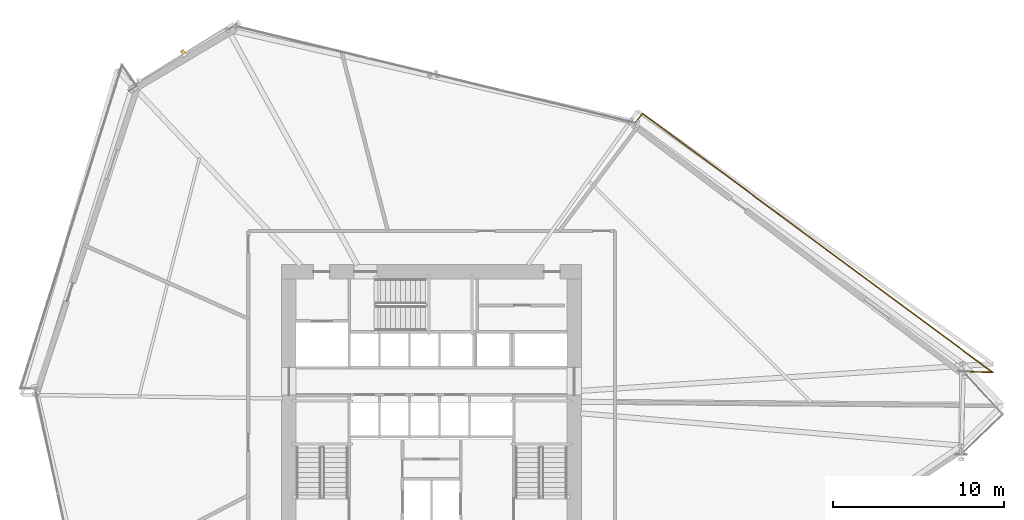
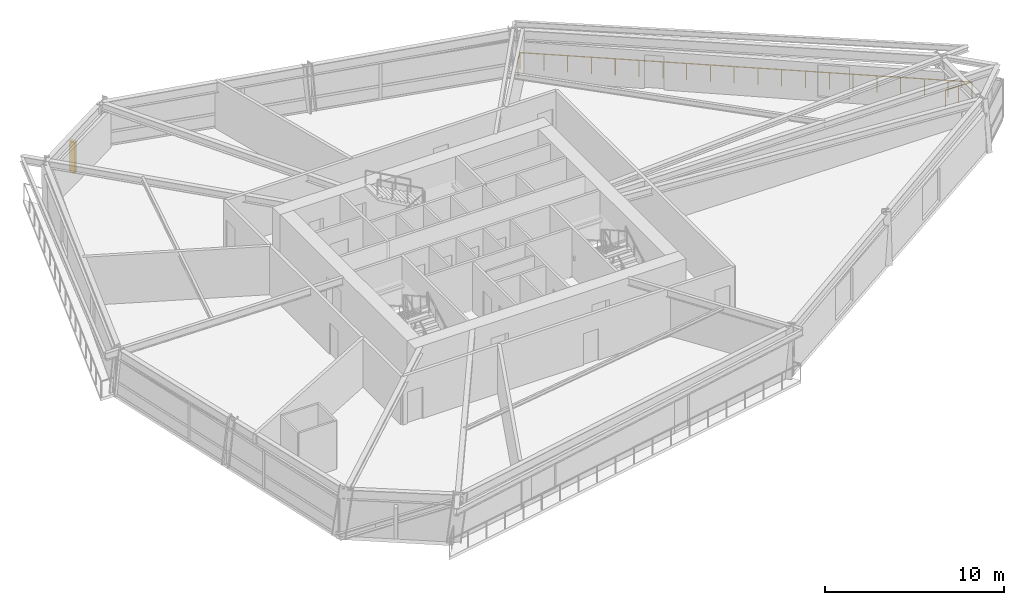
# One storey, part 24 of 24: 1 railing, 1 shading device.
"""IFC4 building model written with IfcOpenShell, lengths in metres."""

from ifc_helpers import new_model, si_unit, direction, frame, origin, origin_2d, place, context, subcontext, project, spatial, rectangle, extrude, source, transform, mapped, material, type_object, element, save


model = new_model("IFC4")

# Units and contexts
model_context = context("Model", 3, precision=1e-05, world=origin(), true_north=direction((0.0, 1.0)))
body_context = subcontext(model_context, "Body", "Model", "MODEL_VIEW")
ifc_project = project(units=[si_unit("LENGTHUNIT", "METRE"), si_unit("AREAUNIT", "SQUARE_METRE"), si_unit("VOLUMEUNIT", "CUBIC_METRE"), si_unit("PLANEANGLEUNIT", "RADIAN"), si_unit("MASSUNIT", "GRAM", prefix="KILO")], contexts=[model_context])

# Site, building, storey
site_placement = place(None, origin())
site = spatial("IfcSite", under=ifc_project, at=site_placement, CompositionType="ELEMENT")
building_placement = place(site_placement, origin())
building = spatial("IfcBuilding", under=site, at=building_placement, Name="Olszyna Solenne Hotel", CompositionType="ELEMENT")
storey_placement = place(building_placement, frame((0.0, 0.0, 29.300048828125)))
storey = spatial("IfcBuildingStorey", under=building, at=storey_placement, Name="L06", CompositionType="ELEMENT", Elevation=29.300048828125)

# Railing
ifc_material_1 = material(Name="Anodised bronze aluminium", Category="aluminium")
railing_type = type_object("IfcRailingType", Name="GR-110", PredefinedType="BALUSTRADE", material=ifc_material_1)
railing_placement = place(storey_placement, frame((69.0498046875, 28.290771484375, 0.0)))
element("IfcRailing", 1, at=railing_placement, inside=storey, type_object=railing_type, Name="Loggia balcony balustrade guard GR-L06-LG1", PredefinedType="BALUSTRADE", context=body_context, shape_type="SweptSolid", body=[
    extrude(rectangle(XDim=0.048095703125, YDim=0.048095703125, at=origin_2d()), frame((0.0, 0.0, 1.1259765625), z_axis=(0.999709599087, -0.024098080694, 0.0), x_axis=(0.024098080694, 0.999709599087, 0.0)), (0.0, 0.0, 1.0), 1.69189453125),
    extrude(rectangle(XDim=0.048095703125, YDim=0.048095703125, at=origin_2d()), frame((1.69140625, -0.040771484375, 1.1259765625), z_axis=(-0.804211684406, 0.594342970569, 0.0), x_axis=(-0.594342970569, -0.804211684406, 0.0)), (0.0, 0.0, 1.0), 25.408935546875),
    extrude(rectangle(XDim=0.048095703125, YDim=0.048095703125, at=origin_2d()), frame((-18.74267578125, 15.060791015625, 1.1259765625), z_axis=(-0.6381169831, -0.769939423513, 0.0), x_axis=(0.769939423513, -0.6381169831, 0.0)), (0.0, 0.0, 1.0), 0.709228515625),
    extrude(rectangle(XDim=0.0419921875, YDim=0.0419921875, at=origin_2d()), origin(), (0.0, 0.0, 1.0), 1.101806640625),
    extrude(rectangle(XDim=0.0419921875, YDim=0.0419921875, at=origin_2d()), frame((0.845703125, -0.0205078125, 0.0)), (0.0, 0.0, 1.0), 1.101806640625),
    extrude(rectangle(XDim=0.0419921875, YDim=0.0419921875, at=origin_2d()), frame((1.69140625, -0.040771484375, 0.0)), (0.0, 0.0, 1.0), 1.101806640625),
    extrude(rectangle(XDim=0.0419921875, YDim=0.0419921875, at=origin_2d()), frame((0.615966796875, 0.754150390625, 0.0)), (0.0, 0.0, 1.0), 1.101806640625),
    extrude(rectangle(XDim=0.0419921875, YDim=0.0419921875, at=origin_2d()), frame((-0.45947265625, 1.548828125, 0.0)), (0.0, 0.0, 1.0), 1.101806640625),
    extrude(rectangle(XDim=0.0419921875, YDim=0.0419921875, at=origin_2d()), frame((-1.534912109375, 2.34375, 0.0)), (0.0, 0.0, 1.0), 1.101806640625),
    extrude(rectangle(XDim=0.0419921875, YDim=0.0419921875, at=origin_2d()), frame((-2.610595703125, 3.138427734375, 0.0)), (0.0, 0.0, 1.0), 1.101806640625),
    extrude(rectangle(XDim=0.0419921875, YDim=0.0419921875, at=origin_2d()), frame((-3.68603515625, 3.933349609375, 0.0)), (0.0, 0.0, 1.0), 1.101806640625),
    extrude(rectangle(XDim=0.0419921875, YDim=0.0419921875, at=origin_2d()), frame((-4.761474609375, 4.72802734375, 0.0)), (0.0, 0.0, 1.0), 1.101806640625),
    extrude(rectangle(XDim=0.0419921875, YDim=0.0419921875, at=origin_2d()), frame((-5.8369140625, 5.52294921875, 0.0)), (0.0, 0.0, 1.0), 1.101806640625),
    extrude(rectangle(XDim=0.0419921875, YDim=0.0419921875, at=origin_2d()), frame((-6.912353515625, 6.31787109375, 0.0)), (0.0, 0.0, 1.0), 1.101806640625),
    extrude(rectangle(XDim=0.0419921875, YDim=0.0419921875, at=origin_2d()), frame((-7.98779296875, 7.112548828125, 0.0)), (0.0, 0.0, 1.0), 1.101806640625),
    extrude(rectangle(XDim=0.0419921875, YDim=0.0419921875, at=origin_2d()), frame((-9.0634765625, 7.907470703125, 0.0)), (0.0, 0.0, 1.0), 1.101806640625),
    extrude(rectangle(XDim=0.0419921875, YDim=0.0419921875, at=origin_2d()), frame((-10.138916015625, 8.7021484375, 0.0)), (0.0, 0.0, 1.0), 1.101806640625),
    extrude(rectangle(XDim=0.0419921875, YDim=0.0419921875, at=origin_2d()), frame((-11.21435546875, 9.4970703125, 0.0)), (0.0, 0.0, 1.0), 1.101806640625),
    extrude(rectangle(XDim=0.0419921875, YDim=0.0419921875, at=origin_2d()), frame((-12.289794921875, 10.2919921875, 0.0)), (0.0, 0.0, 1.0), 1.101806640625),
    extrude(rectangle(XDim=0.0419921875, YDim=0.0419921875, at=origin_2d()), frame((-13.365234375, 11.086669921875, 0.0)), (0.0, 0.0, 1.0), 1.101806640625),
    extrude(rectangle(XDim=0.0419921875, YDim=0.0419921875, at=origin_2d()), frame((-14.440673828125, 11.881591796875, 0.0)), (0.0, 0.0, 1.0), 1.101806640625),
    extrude(rectangle(XDim=0.0419921875, YDim=0.0419921875, at=origin_2d()), frame((-15.516357421875, 12.67626953125, 0.0)), (0.0, 0.0, 1.0), 1.101806640625),
    extrude(rectangle(XDim=0.0419921875, YDim=0.0419921875, at=origin_2d()), frame((-16.591796875, 13.47119140625, 0.0)), (0.0, 0.0, 1.0), 1.101806640625),
    extrude(rectangle(XDim=0.0419921875, YDim=0.0419921875, at=origin_2d()), frame((-17.667236328125, 14.265869140625, 0.0)), (0.0, 0.0, 1.0), 1.101806640625),
    extrude(rectangle(XDim=0.0419921875, YDim=0.0419921875, at=origin_2d()), frame((-18.74267578125, 15.060791015625, 0.0)), (0.0, 0.0, 1.0), 1.101806640625),
    extrude(rectangle(XDim=0.0419921875, YDim=0.0419921875, at=origin_2d()), frame((-19.1953125, 14.5146484375, 0.0)), (0.0, 0.0, 1.0), 1.101806640625),
])

# Shading device
ifc_material_2 = material(Name="Terracotta cladding", Category="masonry")
shading_device_type = type_object("IfcShadingDeviceType", Name="SH-FN1", PredefinedType="USERDEFINED", material=ifc_material_2)
shared_shape = source(origin(), body_context, "Body", "SweptSolid", [
    extrude(rectangle(XDim=0.199951171875, YDim=0.35009765625, at=origin_2d()), origin(), (0.0, 0.0, 1.0), 2.10009765625),
])
shading_device_placement = place(storey_placement, frame((23.50634765625, 46.897705078125, 0.245849609375), z_axis=(0.0, 0.0, 1.0), x_axis=(0.858959896931, 0.512042864871, 0.0)))
element("IfcShadingDevice", 2, at=shading_device_placement, inside=storey, type_object=shading_device_type, Name="Chamfer wind-corner terracotta fin FN-L06-05", ObjectType="FIN", PredefinedType="USERDEFINED", context=body_context, shape_type="MappedRepresentation", body=[
    mapped(shared_shape, transform((0.0, 0.0, 0.0), x_axis=(1.0, 0.0, 0.0), y_axis=(0.0, 1.0, 0.0), z_axis=(0.0, 0.0, 1.0), scale=1.0)),
])

save(model, "model.ifc")
